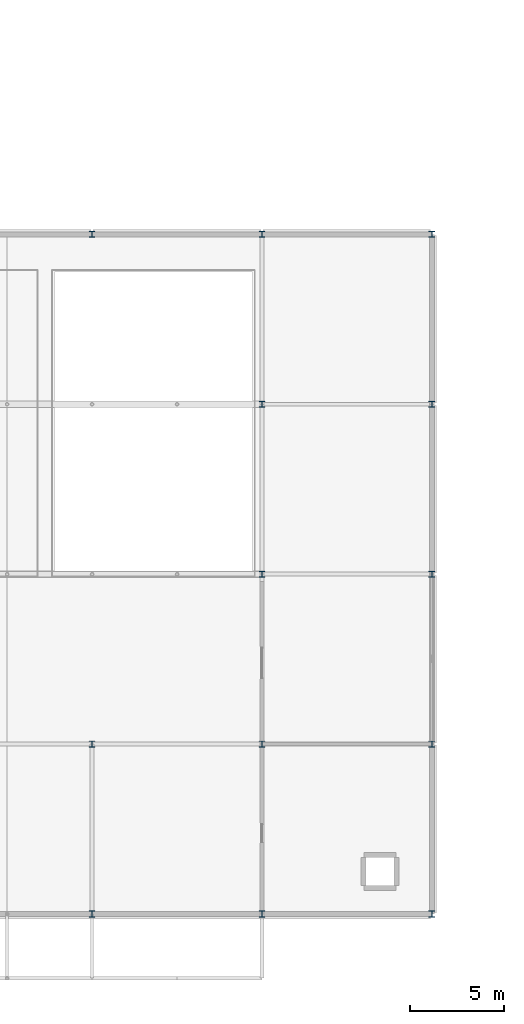
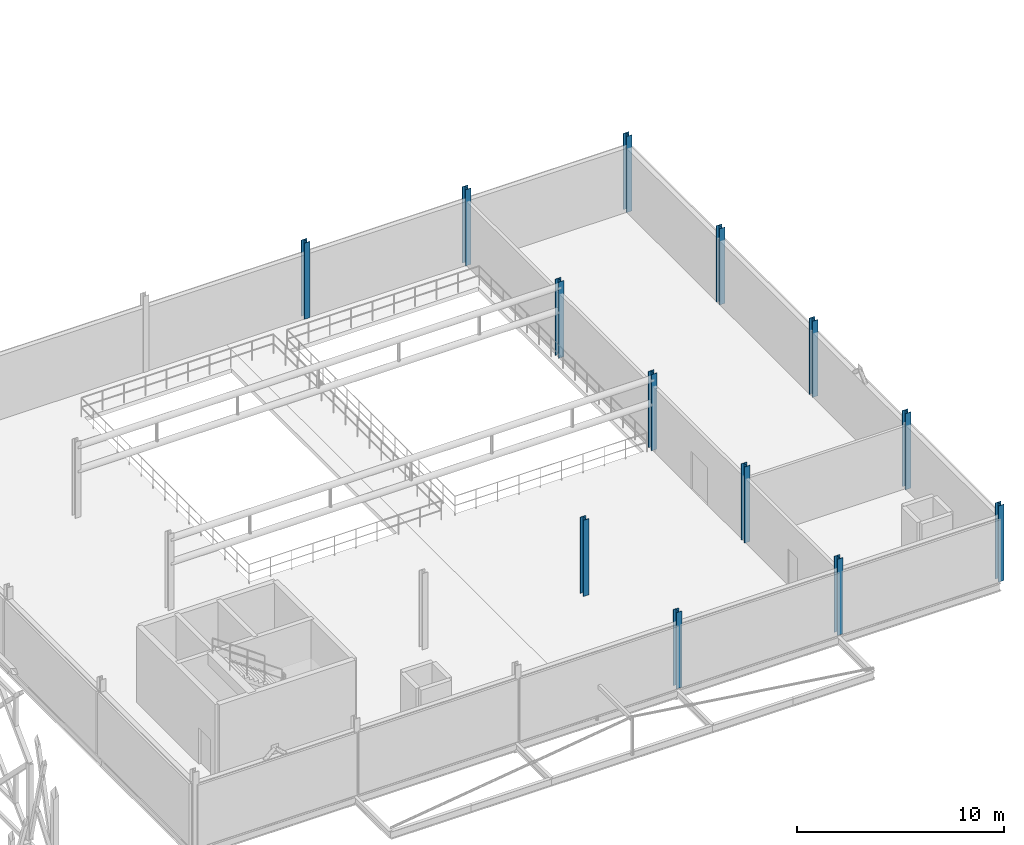
# One storey, part 17 of 140: 13 columns.
"""IFC4 building model written with IfcOpenShell, lengths in metres."""

import ifcopenshell
import ifcopenshell.guid

model = None  # the IFC model being written
_history = None  # IfcOwnerHistory: only IFC2X3 demands one
_inside = {}  # id of a spatial element -> (the spatial element, [elements in it])
_under = {}  # id of a project, library or spatial element -> (it, [spatial elements below it])
_declared = {}  # id of a project -> (the project, [libraries it declares])
_typed = {}  # id of a type object -> (the type object, [elements of that type])
_made_of = {}  # id of a material, layer set ... -> (it, [elements and type objects made of it])


def new_model(schema):
    """Start an empty IFC model of exactly this schema.

    Asked for "IFC4X3", IfcOpenShell would pick the latest addendum, in which some entities
    have other attributes; the version numbers below select the first issue.
    IFC2X3 requires an IfcOwnerHistory on every rooted entity: one is made here for all.
    """
    global model, _history
    if schema == "IFC4X3":
        model = ifcopenshell.file(schema_version=(4, 3, 0, 0))
    else:
        model = ifcopenshell.file(schema=schema)
    _inside.clear()
    _under.clear()
    _declared.clear()
    _typed.clear()
    _made_of.clear()
    _history = None
    if model.schema == "IFC2X3":
        org = make("IfcOrganization", Name="unknown")
        user = make(
            "IfcPersonAndOrganization",
            ThePerson=make("IfcPerson", FamilyName="unknown"),
            TheOrganization=org,
        )
        app = make(
            "IfcApplication",
            ApplicationDeveloper=org,
            Version="unknown",
            ApplicationFullName="unknown",
            ApplicationIdentifier="unknown",
        )
        _history = make(
            "IfcOwnerHistory",
            OwningUser=user,
            OwningApplication=app,
            ChangeAction="ADDED",
            CreationDate=0,
        )
    return model


def make(cls, **values):
    """One entity of the class cls with the attributes given. An attribute that is None is left unset."""
    return model.create_entity(
        cls, **{name: value for name, value in values.items() if value is not None}
    )


def rooted(cls, **values):
    """An entity with a GlobalId (a new one), such as an element, a storey or a relation."""
    return make(cls, GlobalId=ifcopenshell.guid.new(), OwnerHistory=_history, **values)


def si_unit(unit_type, name, prefix=None):
    """IfcSIUnit, for example si_unit("LENGTHUNIT", "METRE", prefix="MILLI")."""
    return make("IfcSIUnit", UnitType=unit_type, Prefix=prefix, Name=name)


def assignment(units):
    """IfcUnitAssignment: the units of a project."""
    return None if units is None else make("IfcUnitAssignment", Units=units)


def point(xyz):
    """IfcCartesianPoint."""
    return None if xyz is None else make("IfcCartesianPoint", Coordinates=xyz)


def direction(xyz):
    """IfcDirection."""
    return None if xyz is None else make("IfcDirection", DirectionRatios=xyz)


def frame(location, z_axis=None, x_axis=None):
    """IfcAxis2Placement3D, a coordinate frame: its origin and axes. An axis left out is left unset."""
    return make(
        "IfcAxis2Placement3D",
        Location=point(location),
        Axis=direction(z_axis),
        RefDirection=direction(x_axis),
    )


def frame_2d(location, x_axis=None):
    """IfcAxis2Placement2D, a coordinate frame in the plane: its origin and x axis."""
    return make(
        "IfcAxis2Placement2D", Location=point(location), RefDirection=direction(x_axis)
    )


def origin():
    """The frame at (0, 0, 0) with its axes left unset."""
    return frame((0.0, 0.0, 0.0))


def origin_2d():
    """The frame at (0, 0) in the plane with its x axis left unset."""
    return frame_2d((0.0, 0.0))


def place(relative_to, where):
    """IfcLocalPlacement: puts the frame where relative to a parent placement (None: the world)."""
    return make(
        "IfcLocalPlacement", PlacementRelTo=relative_to, RelativePlacement=where
    )


def context(
    kind, dimensions, precision=None, world=None, true_north=None, identifier=None
):
    """IfcGeometricRepresentationContext, for example the 3D "Model" context."""
    return make(
        "IfcGeometricRepresentationContext",
        ContextIdentifier=identifier,
        ContextType=kind,
        CoordinateSpaceDimension=dimensions,
        Precision=precision,
        WorldCoordinateSystem=world,
        TrueNorth=true_north,
    )


def subcontext(parent, identifier, kind, view, scale=None):
    """IfcGeometricRepresentationSubContext, for example "Body" below "Model"."""
    return make(
        "IfcGeometricRepresentationSubContext",
        ContextIdentifier=identifier,
        ContextType=kind,
        ParentContext=parent,
        TargetScale=scale,
        TargetView=view,
    )


def project(units=None, contexts=None):
    """IfcProject with its units and contexts."""
    return rooted(
        "IfcProject",
        Name="project",
        RepresentationContexts=contexts,
        UnitsInContext=assignment(units),
    )


def spatial(cls, under=None, at=None, **own):
    """A site, building, storey or space (cls), placed at a placement, below another one or the project."""
    s = rooted(cls, ObjectPlacement=at, **own)
    if under is not None:
        _under.setdefault(under.id(), (under, []))[1].append(s)
    return s


def profile(cls, at=None, kind="AREA", **sizes):
    """A parametric profile (cls). Its sizes go by their IFC names, for example OverallWidth=200.0."""
    return make(cls, ProfileType=kind, Position=at, **sizes)


def i_section(**sizes):
    """IfcIShapeProfileDef."""
    return profile("IfcIShapeProfileDef", **sizes)


def extrude(swept, where, along, depth):
    """IfcExtrudedAreaSolid: the profile swept, set in the frame where, extruded along a direction by depth."""
    return make(
        "IfcExtrudedAreaSolid",
        SweptArea=swept,
        Position=where,
        ExtrudedDirection=direction(along),
        Depth=depth,
    )


def shape(context_of_items, identifier, shape_type, items):
    """IfcShapeRepresentation: the items that make up one representation, for example the "Body"."""
    return make(
        "IfcShapeRepresentation",
        ContextOfItems=context_of_items,
        RepresentationIdentifier=identifier,
        RepresentationType=shape_type,
        Items=items,
    )


def material(Name=None, Category=None):
    """IfcMaterial."""
    return make("IfcMaterial", Name=Name, Category=Category)


def material_profile(
    of_material, cross_section, Name=None, Category=None, Priority=None
):
    """IfcMaterialProfile: a cross section and its material."""
    return make(
        "IfcMaterialProfile",
        Name=Name,
        Material=of_material,
        Profile=cross_section,
        Priority=Priority,
        Category=Category,
    )


def profile_set(profiles, Name=None, composite=None):
    """IfcMaterialProfileSet."""
    return make(
        "IfcMaterialProfileSet",
        Name=Name,
        MaterialProfiles=profiles,
        CompositeProfile=composite,
    )


def made_of(thing, what):
    """Note that an element or type object is made of a material, layer set ...; save() writes the relation."""
    if what is not None:
        _made_of.setdefault(what.id(), (what, []))[1].append(thing)
    return thing


def type_object(cls, material=None, **own):
    """A type object (cls), such as IfcWallType, which elements share."""
    return made_of(rooted(cls, **own), material)


def element(
    cls,
    number,
    at=None,
    inside=None,
    cuts=None,
    type_object=None,
    material=None,
    context=None,
    identifier="Body",
    shape_type=None,
    held_by="IfcProductDefinitionShape",
    body=None,
    shapes=None,
    **own,
):
    """One element of the class cls, such as IfcWall. Its Tag is "e" and its number.

    at: its placement. inside: the storey or other place that contains it. cuts: it is an
    opening in that element (IfcRelVoidsElement). A single representation is given by context,
    identifier, shape_type and body (its items); several are given by shapes. held_by: the class
    of the entity that holds the representations. save() writes the other relations.
    """
    e = rooted(cls, Tag="e%d" % number, ObjectPlacement=at, **own)
    if body is not None:
        shapes = [shape(context, identifier, shape_type, body)]
    if shapes is not None:
        e.Representation = make(held_by, Representations=shapes)
    if inside is not None:
        _inside.setdefault(inside.id(), (inside, []))[1].append(e)
    if cuts is not None:
        rooted(
            "IfcRelVoidsElement", RelatingBuildingElement=cuts, RelatedOpeningElement=e
        )
    if type_object is not None:
        _typed.setdefault(type_object.id(), (type_object, []))[1].append(e)
    return made_of(e, material)


def aggregate(whole, parts):
    """IfcRelAggregates: a whole, such as a stair, and the parts it consists of."""
    return rooted("IfcRelAggregates", RelatingObject=whole, RelatedObjects=parts)


def save(model, path):
    """Write the relations noted so far, then the file.

    IfcRelAggregates (storeys below a building ...), IfcRelContainedInSpatialStructure (elements
    in a storey), IfcRelDefinesByType, IfcRelAssociatesMaterial and IfcRelDeclares: one each for
    every whole, place, type object, material and project.
    """
    for whole, parts in _under.values():
        aggregate(whole, parts)
    for where, things in _inside.values():
        rooted(
            "IfcRelContainedInSpatialStructure",
            RelatedElements=things,
            RelatingStructure=where,
        )
    for kind, things in _typed.values():
        rooted("IfcRelDefinesByType", RelatedObjects=things, RelatingType=kind)
    for what, things in _made_of.values():
        rooted("IfcRelAssociatesMaterial", RelatedObjects=things, RelatingMaterial=what)
    for by, libraries in _declared.values():
        rooted("IfcRelDeclares", RelatingContext=by, RelatedDefinitions=libraries)
    model.write(path)


model = new_model("IFC4")

# Units and contexts
model_context = context("Model", 3, precision=1e-05, world=origin(), true_north=direction((0.0, 1.0)))
body_context = subcontext(model_context, "Body", "Model", "MODEL_VIEW")
ifc_project = project(units=[si_unit("LENGTHUNIT", "METRE"), si_unit("AREAUNIT", "SQUARE_METRE"), si_unit("VOLUMEUNIT", "CUBIC_METRE"), si_unit("PLANEANGLEUNIT", "RADIAN"), si_unit("MASSUNIT", "GRAM", prefix="KILO"), si_unit("THERMODYNAMICTEMPERATUREUNIT", "KELVIN"), si_unit("POWERUNIT", "WATT")], contexts=[model_context])

# Site, building, storey
site_placement = place(None, origin())
site = spatial("IfcSite", under=ifc_project, at=site_placement, CompositionType="ELEMENT")
building_placement = place(site_placement, origin())
building = spatial("IfcBuilding", under=site, at=building_placement, Name="Tallowbark Science Centre", CompositionType="ELEMENT")
storey_placement = place(building_placement, frame((0.0, 0.0, 9.89990234375)))
storey = spatial("IfcBuildingStorey", under=building, at=storey_placement, Name="L02", CompositionType="ELEMENT", Elevation=9.89990234375)

# Columns
ifc_material = material(Name="Structural Steel Grade 300PLUS (300 MPa)", Category="steel")
ifc_material_profile = material_profile(ifc_material, i_section(OverallWidth=0.30908203125, OverallDepth=0.320556640625, WebThickness=0.013916015625, FlangeThickness=0.021728515625, FilletRadius=0.0166015625, at=origin_2d()), Name="310UC137")
ifc_profile_set = profile_set([ifc_material_profile], Name="Structural Steel Grade 300PLUS (300 MPa)")
column_type = type_object("IfcColumnType", Name="COL-UC310B", PredefinedType="COLUMN", material=ifc_profile_set)
for number, where, z_axis, x_axis, name in (
    (1, (139.5, 0.0, 0.0), (0.0, 0.0, 1.0), (1.0, 0.0, 0.0), "Column THT-M3_0 L02"),
    (2, (139.5, 9.0, 0.0), (0.0, 0.0, 1.0), (1.0, 0.0, 0.0), "Column THT-M3_1 L02"),
    (3, (139.5, 36.0, 0.0), (0.0, 0.0, 1.0), (1.0, 0.0, 0.0), "Column THT-M3_4 L02"),
    (4, (148.5, 0.0, 0.0), (0.0, 0.0, 1.0), (1.0, 0.0, 0.0), "Column THT-M4_0 L02"),
    (5, (148.5, 9.0, 0.0), (0.0, 0.0, 1.0), (1.0, 0.0, 0.0), "Column THT-M4_1 L02"),
    (6, (148.5, 18.0, 0.0), (0.0, 0.0, 1.0), (1.0, 0.0, 0.0), "Column THT-M4_2 L02"),
    (7, (148.5, 27.0, 0.0), (0.0, 0.0, 1.0), (1.0, 0.0, 0.0), "Column THT-M4_3 L02"),
    (8, (148.5, 36.0, 0.0), (0.0, 0.0, 1.0), (1.0, 0.0, 0.0), "Column THT-M4_4 L02"),
    (9, (157.5, 0.0, 0.0), (0.0, 0.0, 1.0), (1.0, 0.0, 0.0), "Column THT-M5_0 L02"),
    (10, (157.5, 9.0, 0.0), (0.0, 0.0, 1.0), (1.0, 0.0, 0.0), "Column THT-M5_1 L02"),
    (11, (157.5, 18.0, 0.0), (0.0, 0.0, 1.0), (1.0, 0.0, 0.0), "Column THT-M5_2 L02"),
    (12, (157.5, 27.0, 0.0), (0.0, 0.0, 1.0), (1.0, 0.0, 0.0), "Column THT-M5_3 L02"),
    (13, (157.5, 36.0, 0.0), (0.0, 0.0, 1.0), (1.0, 0.0, 0.0), "Column THT-M5_4 L02"),
):
    element("IfcColumn", number, at=place(storey_placement, frame(where, z_axis=z_axis, x_axis=x_axis)), inside=storey, type_object=column_type, Name=name, PredefinedType="COLUMN", context=body_context, shape_type="SweptSolid", body=[
        extrude(i_section(OverallWidth=0.30908203125, OverallDepth=0.320556640625, WebThickness=0.013916015625, FlangeThickness=0.021728515625, FilletRadius=0.0166015625, at=origin_2d()), origin(), (0.0, 0.0, 1.0), 4.5),
    ])

save(model, "model.ifc")
